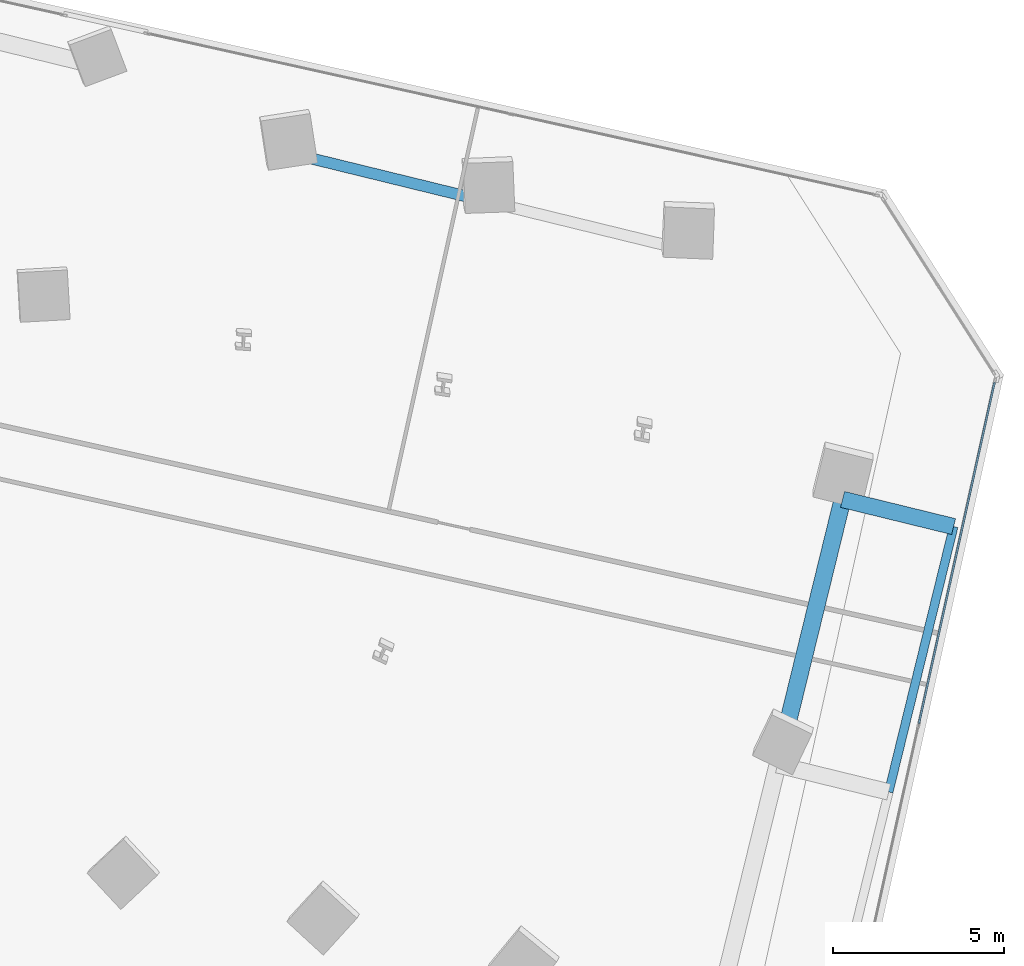
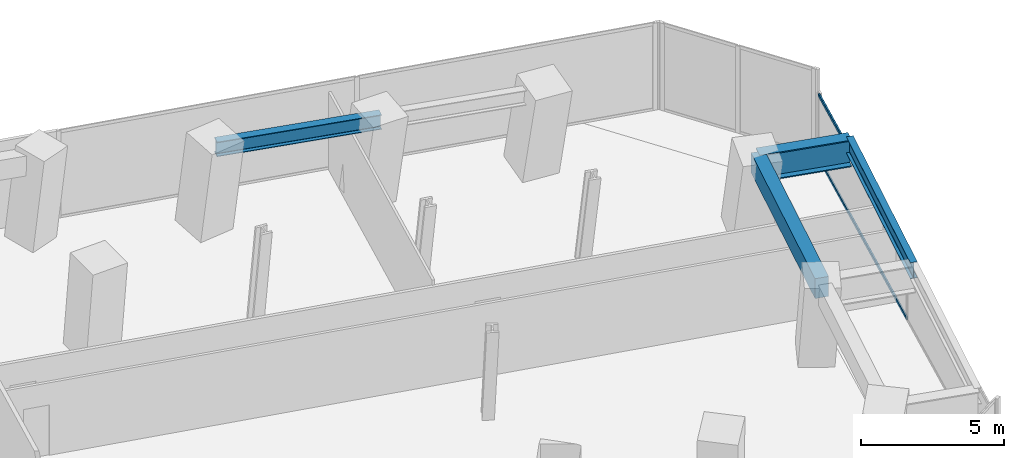
# One storey, part 11 of 25: 4 beams, 2 members, 1 element without a shape of its own.
"""IFC4 building model written with IfcOpenShell, lengths in metres."""

import ifcopenshell
import ifcopenshell.guid

model = None  # the IFC model being written
_history = None  # IfcOwnerHistory: only IFC2X3 demands one
_inside = {}  # id of a spatial element -> (the spatial element, [elements in it])
_under = {}  # id of a project, library or spatial element -> (it, [spatial elements below it])
_declared = {}  # id of a project -> (the project, [libraries it declares])
_typed = {}  # id of a type object -> (the type object, [elements of that type])
_made_of = {}  # id of a material, layer set ... -> (it, [elements and type objects made of it])


def new_model(schema):
    """Start an empty IFC model of exactly this schema.

    Asked for "IFC4X3", IfcOpenShell would pick the latest addendum, in which some entities
    have other attributes; the version numbers below select the first issue.
    IFC2X3 requires an IfcOwnerHistory on every rooted entity: one is made here for all.
    """
    global model, _history
    if schema == "IFC4X3":
        model = ifcopenshell.file(schema_version=(4, 3, 0, 0))
    else:
        model = ifcopenshell.file(schema=schema)
    _inside.clear()
    _under.clear()
    _declared.clear()
    _typed.clear()
    _made_of.clear()
    _history = None
    if model.schema == "IFC2X3":
        org = make("IfcOrganization", Name="unknown")
        user = make(
            "IfcPersonAndOrganization",
            ThePerson=make("IfcPerson", FamilyName="unknown"),
            TheOrganization=org,
        )
        app = make(
            "IfcApplication",
            ApplicationDeveloper=org,
            Version="unknown",
            ApplicationFullName="unknown",
            ApplicationIdentifier="unknown",
        )
        _history = make(
            "IfcOwnerHistory",
            OwningUser=user,
            OwningApplication=app,
            ChangeAction="ADDED",
            CreationDate=0,
        )
    return model


def make(cls, **values):
    """One entity of the class cls with the attributes given. An attribute that is None is left unset."""
    return model.create_entity(
        cls, **{name: value for name, value in values.items() if value is not None}
    )


def rooted(cls, **values):
    """An entity with a GlobalId (a new one), such as an element, a storey or a relation."""
    return make(cls, GlobalId=ifcopenshell.guid.new(), OwnerHistory=_history, **values)


def si_unit(unit_type, name, prefix=None):
    """IfcSIUnit, for example si_unit("LENGTHUNIT", "METRE", prefix="MILLI")."""
    return make("IfcSIUnit", UnitType=unit_type, Prefix=prefix, Name=name)


def assignment(units):
    """IfcUnitAssignment: the units of a project."""
    return None if units is None else make("IfcUnitAssignment", Units=units)


def point(xyz):
    """IfcCartesianPoint."""
    return None if xyz is None else make("IfcCartesianPoint", Coordinates=xyz)


def direction(xyz):
    """IfcDirection."""
    return None if xyz is None else make("IfcDirection", DirectionRatios=xyz)


def frame(location, z_axis=None, x_axis=None):
    """IfcAxis2Placement3D, a coordinate frame: its origin and axes. An axis left out is left unset."""
    return make(
        "IfcAxis2Placement3D",
        Location=point(location),
        Axis=direction(z_axis),
        RefDirection=direction(x_axis),
    )


def frame_2d(location, x_axis=None):
    """IfcAxis2Placement2D, a coordinate frame in the plane: its origin and x axis."""
    return make(
        "IfcAxis2Placement2D", Location=point(location), RefDirection=direction(x_axis)
    )


def origin():
    """The frame at (0, 0, 0) with its axes left unset."""
    return frame((0.0, 0.0, 0.0))


def origin_2d():
    """The frame at (0, 0) in the plane with its x axis left unset."""
    return frame_2d((0.0, 0.0))


def place(relative_to, where):
    """IfcLocalPlacement: puts the frame where relative to a parent placement (None: the world)."""
    return make(
        "IfcLocalPlacement", PlacementRelTo=relative_to, RelativePlacement=where
    )


def context(
    kind, dimensions, precision=None, world=None, true_north=None, identifier=None
):
    """IfcGeometricRepresentationContext, for example the 3D "Model" context."""
    return make(
        "IfcGeometricRepresentationContext",
        ContextIdentifier=identifier,
        ContextType=kind,
        CoordinateSpaceDimension=dimensions,
        Precision=precision,
        WorldCoordinateSystem=world,
        TrueNorth=true_north,
    )


def subcontext(parent, identifier, kind, view, scale=None):
    """IfcGeometricRepresentationSubContext, for example "Body" below "Model"."""
    return make(
        "IfcGeometricRepresentationSubContext",
        ContextIdentifier=identifier,
        ContextType=kind,
        ParentContext=parent,
        TargetScale=scale,
        TargetView=view,
    )


def project(units=None, contexts=None):
    """IfcProject with its units and contexts."""
    return rooted(
        "IfcProject",
        Name="project",
        RepresentationContexts=contexts,
        UnitsInContext=assignment(units),
    )


def spatial(cls, under=None, at=None, **own):
    """A site, building, storey or space (cls), placed at a placement, below another one or the project."""
    s = rooted(cls, ObjectPlacement=at, **own)
    if under is not None:
        _under.setdefault(under.id(), (under, []))[1].append(s)
    return s


def profile(cls, at=None, kind="AREA", **sizes):
    """A parametric profile (cls). Its sizes go by their IFC names, for example OverallWidth=200.0."""
    return make(cls, ProfileType=kind, Position=at, **sizes)


def rectangle(**sizes):
    """IfcRectangleProfileDef."""
    return profile("IfcRectangleProfileDef", **sizes)


def hollow_rectangle(**sizes):
    """IfcRectangleHollowProfileDef."""
    return profile("IfcRectangleHollowProfileDef", **sizes)


def i_section(**sizes):
    """IfcIShapeProfileDef."""
    return profile("IfcIShapeProfileDef", **sizes)


def extrude(swept, where, along, depth):
    """IfcExtrudedAreaSolid: the profile swept, set in the frame where, extruded along a direction by depth."""
    return make(
        "IfcExtrudedAreaSolid",
        SweptArea=swept,
        Position=where,
        ExtrudedDirection=direction(along),
        Depth=depth,
    )


def shape(context_of_items, identifier, shape_type, items):
    """IfcShapeRepresentation: the items that make up one representation, for example the "Body"."""
    return make(
        "IfcShapeRepresentation",
        ContextOfItems=context_of_items,
        RepresentationIdentifier=identifier,
        RepresentationType=shape_type,
        Items=items,
    )


def source(mapping_origin, context_of_items, identifier, shape_type, items):
    """IfcRepresentationMap: a shape defined once, which mapped items show again and again."""
    return make(
        "IfcRepresentationMap",
        MappingOrigin=mapping_origin,
        MappedRepresentation=shape(context_of_items, identifier, shape_type, items),
    )


def transform(
    local_origin,
    x_axis=None,
    y_axis=None,
    z_axis=None,
    scale=None,
    scale2=None,
    scale3=None,
    uniform=True,
):
    """IfcCartesianTransformationOperator3D, or its non-uniform kind. x_axis, y_axis, z_axis: its Axis1, 2, 3."""
    if uniform:
        return make(
            "IfcCartesianTransformationOperator3D",
            Axis1=direction(x_axis),
            Axis2=direction(y_axis),
            LocalOrigin=point(local_origin),
            Scale=scale,
            Axis3=direction(z_axis),
        )
    return make(
        "IfcCartesianTransformationOperator3DnonUniform",
        Axis1=direction(x_axis),
        Axis2=direction(y_axis),
        LocalOrigin=point(local_origin),
        Scale=scale,
        Axis3=direction(z_axis),
        Scale2=scale2,
        Scale3=scale3,
    )


def mapped(mapping_source, mapping_target):
    """IfcMappedItem: shows the shape of a source again, moved by a transform."""
    return make(
        "IfcMappedItem", MappingSource=mapping_source, MappingTarget=mapping_target
    )


def material(Name=None, Category=None):
    """IfcMaterial."""
    return make("IfcMaterial", Name=Name, Category=Category)


def material_profile(
    of_material, cross_section, Name=None, Category=None, Priority=None
):
    """IfcMaterialProfile: a cross section and its material."""
    return make(
        "IfcMaterialProfile",
        Name=Name,
        Material=of_material,
        Profile=cross_section,
        Priority=Priority,
        Category=Category,
    )


def profile_set(profiles, Name=None, composite=None):
    """IfcMaterialProfileSet."""
    return make(
        "IfcMaterialProfileSet",
        Name=Name,
        MaterialProfiles=profiles,
        CompositeProfile=composite,
    )


def made_of(thing, what):
    """Note that an element or type object is made of a material, layer set ...; save() writes the relation."""
    if what is not None:
        _made_of.setdefault(what.id(), (what, []))[1].append(thing)
    return thing


def type_object(cls, material=None, **own):
    """A type object (cls), such as IfcWallType, which elements share."""
    return made_of(rooted(cls, **own), material)


def element(
    cls,
    number,
    at=None,
    inside=None,
    cuts=None,
    type_object=None,
    material=None,
    context=None,
    identifier="Body",
    shape_type=None,
    held_by="IfcProductDefinitionShape",
    body=None,
    shapes=None,
    **own,
):
    """One element of the class cls, such as IfcWall. Its Tag is "e" and its number.

    at: its placement. inside: the storey or other place that contains it. cuts: it is an
    opening in that element (IfcRelVoidsElement). A single representation is given by context,
    identifier, shape_type and body (its items); several are given by shapes. held_by: the class
    of the entity that holds the representations. save() writes the other relations.
    """
    e = rooted(cls, Tag="e%d" % number, ObjectPlacement=at, **own)
    if body is not None:
        shapes = [shape(context, identifier, shape_type, body)]
    if shapes is not None:
        e.Representation = make(held_by, Representations=shapes)
    if inside is not None:
        _inside.setdefault(inside.id(), (inside, []))[1].append(e)
    if cuts is not None:
        rooted(
            "IfcRelVoidsElement", RelatingBuildingElement=cuts, RelatedOpeningElement=e
        )
    if type_object is not None:
        _typed.setdefault(type_object.id(), (type_object, []))[1].append(e)
    return made_of(e, material)


def aggregate(whole, parts):
    """IfcRelAggregates: a whole, such as a stair, and the parts it consists of."""
    return rooted("IfcRelAggregates", RelatingObject=whole, RelatedObjects=parts)


def save(model, path):
    """Write the relations noted so far, then the file.

    IfcRelAggregates (storeys below a building ...), IfcRelContainedInSpatialStructure (elements
    in a storey), IfcRelDefinesByType, IfcRelAssociatesMaterial and IfcRelDeclares: one each for
    every whole, place, type object, material and project.
    """
    for whole, parts in _under.values():
        aggregate(whole, parts)
    for where, things in _inside.values():
        rooted(
            "IfcRelContainedInSpatialStructure",
            RelatedElements=things,
            RelatingStructure=where,
        )
    for kind, things in _typed.values():
        rooted("IfcRelDefinesByType", RelatedObjects=things, RelatingType=kind)
    for what, things in _made_of.values():
        rooted("IfcRelAssociatesMaterial", RelatedObjects=things, RelatingMaterial=what)
    for by, libraries in _declared.values():
        rooted("IfcRelDeclares", RelatingContext=by, RelatedDefinitions=libraries)
    model.write(path)


model = new_model("IFC4")

# Units and contexts
model_context = context("Model", 3, precision=1e-05, world=origin(), true_north=direction((0.0, 1.0)))
body_context = subcontext(model_context, "Body", "Model", "MODEL_VIEW")
ifc_project = project(units=[si_unit("LENGTHUNIT", "METRE"), si_unit("AREAUNIT", "SQUARE_METRE"), si_unit("VOLUMEUNIT", "CUBIC_METRE"), si_unit("PLANEANGLEUNIT", "RADIAN"), si_unit("MASSUNIT", "GRAM", prefix="KILO")], contexts=[model_context])

# Site, building, storey
site_placement = place(None, origin())
site = spatial("IfcSite", under=ifc_project, at=site_placement, CompositionType="ELEMENT")
building_placement = place(site_placement, origin())
building = spatial("IfcBuilding", under=site, at=building_placement, Name="Torre Montelarca", CompositionType="ELEMENT")
storey_placement = place(building_placement, frame((0.0, 0.0, 91.60009765625)))
storey = spatial("IfcBuildingStorey", under=building, at=storey_placement, Name="L20", CompositionType="ELEMENT", Elevation=91.60009765625)

# Beams
ifc_material_1 = material(Name="Steel ASTM A992 Grade 50", Category="steel")
ifc_material_profile_1 = material_profile(ifc_material_1, i_section(OverallWidth=0.326904296875, OverallDepth=0.6220703125, WebThickness=0.015380859375, FlangeThickness=0.0244140625, FilletRadius=0.014892578125, at=origin_2d()), Name="W610X195", Category="steel")
ifc_profile_set_1 = profile_set([ifc_material_profile_1], Name="Steel ASTM A992 Grade 50")
beam_type_1 = type_object("IfcBeamType", Name="BM-G-W610H", PredefinedType="BEAM", material=ifc_profile_set_1)
shared_shape_1 = source(origin(), body_context, "Body", "SweptSolid", [
    extrude(i_section(OverallWidth=0.326904296875, OverallDepth=0.6220703125, WebThickness=0.015380859375, FlangeThickness=0.0244140625, FilletRadius=0.014892578125, at=origin_2d()), origin(), (0.0, 0.0, 1.0), 6.0),
])
beam_1_placement = place(storey_placement, frame((44.739990234375, 40.726318359375, 3.64892578125), z_axis=(0.971336820481, -0.237707343551, 0.0), x_axis=(0.237707343551, 0.971336820481, 0.0)))
element("IfcBeam", 1, at=beam_1_placement, inside=storey, type_object=beam_type_1, Name="L20 Grid Girder X 42.0-48.0 at Y=46.0", PredefinedType="BEAM", context=body_context, shape_type="MappedRepresentation", body=[
    mapped(shared_shape_1, transform((0.0, 0.0, 0.0), scale=1.0)),
])
ifc_material_2 = material(Name="Concrete C55/67", Category="concrete")
ifc_material_profile_2 = material_profile(ifc_material_2, rectangle(XDim=0.5, YDim=0.85009765625, at=origin_2d()), Name="RCB500X850", Category="concrete")
ifc_profile_set_2 = profile_set([ifc_material_profile_2], Name="Concrete C55/67")
beam_type_2 = type_object("IfcBeamType", Name="BM-SP-RC850-EXT", PredefinedType="SPANDREL", material=ifc_profile_set_2)
shared_shape_2 = source(origin(), body_context, "Body", "SweptSolid", [
    extrude(rectangle(XDim=0.5, YDim=0.85009765625, at=origin_2d()), origin(), (0.0, 0.0, 1.0), 8.0),
])
beam_2_placement = place(storey_placement, frame((58.896728515625, 22.84912109375, 3.534912109375), z_axis=(0.237671301182, 0.971345640127, 0.0), x_axis=(-0.971345640127, 0.237671301182, 0.0)))
element("IfcBeam", 2, at=beam_2_placement, inside=storey, type_object=beam_type_2, Name="L20 Grid Girder Y 32.0-40.0 at X=60.0", PredefinedType="SPANDREL", context=body_context, shape_type="MappedRepresentation", body=[
    mapped(shared_shape_2, transform((0.0, 0.0, 0.0), scale=1.0)),
])
ifc_material_3 = material(Name="Steel ASTM A572 Grade 50", Category="steel")
ifc_material_profile_3 = material_profile(ifc_material_3, i_section(OverallWidth=0.47998046875, OverallDepth=1.14990234375, WebThickness=0.02197265625, FlangeThickness=0.044921875, at=origin_2d()), Name="PG1150X480X22X45", Category="steel")
ifc_profile_set_3 = profile_set([ifc_material_profile_3], Name="Steel ASTM A572 Grade 50")
beam_type_3 = type_object("IfcBeamType", Name="BM-CG-PG1400-EXT", PredefinedType="USERDEFINED", material=ifc_profile_set_3)
shared_shape_3 = source(origin(), body_context, "Body", "SweptSolid", [
    extrude(i_section(OverallWidth=0.47998046875, OverallDepth=1.14990234375, WebThickness=0.02197265625, FlangeThickness=0.044921875, at=origin_2d()), origin(), (0.0, 0.0, 1.0), 3.35009765625),
])
beam_3_placement = place(storey_placement, frame((60.798095703125, 30.619873046875, 3.385009765625), z_axis=(0.971335096398, -0.23771438851, 0.0), x_axis=(0.23771438851, 0.971335096398, 0.0)))
element("IfcBeam", 3, at=beam_3_placement, inside=storey, type_object=beam_type_3, Name="L20 Sliding Tray Cantilever Girder East Y=40m (FLR)", ObjectType="CANTILEVER GIRDER", PredefinedType="USERDEFINED", context=body_context, shape_type="MappedRepresentation", body=[
    mapped(shared_shape_3, transform((0.0, 0.0, 0.0), scale=1.0)),
])
ifc_material_profile_4 = material_profile(ifc_material_1, i_section(OverallWidth=0.256103515625, OverallDepth=0.693115234375, WebThickness=0.014404296875, FlangeThickness=0.023681640625, FilletRadius=0.01806640625, at=origin_2d()), Name="W690X170", Category="steel")
ifc_profile_set_4 = profile_set([ifc_material_profile_4], Name="Steel ASTM A992 Grade 50")
beam_type_4 = type_object("IfcBeamType", Name="BM-G-W690-EXT", PredefinedType="BEAM", material=ifc_profile_set_4)
shared_shape_4 = source(origin(), body_context, "Body", "SweptSolid", [
    extrude(i_section(OverallWidth=0.256103515625, OverallDepth=0.693115234375, WebThickness=0.014404296875, FlangeThickness=0.023681640625, FilletRadius=0.01806640625, at=origin_2d()), origin(), (0.0, 0.0, 1.0), 8.0),
])
beam_4_placement = place(storey_placement, frame((62.150634765625, 22.052734375, 3.614013671875), z_axis=(0.237700094629, 0.971338594422, 0.0), x_axis=(-0.971338594422, 0.237700094629, 0.0)))
element("IfcBeam", 4, at=beam_4_placement, inside=storey, type_object=beam_type_4, Name="L20 Sliding Tray Edge Girder East 32-40m (FLR)", PredefinedType="BEAM", context=body_context, shape_type="MappedRepresentation", body=[
    mapped(shared_shape_4, transform((0.0, 0.0, 0.0), scale=1.0)),
])

# Curtain wall, members
ifc_material_4 = material(Name="Insulated low-E laminated glass", Category="glass")
curtain_wall_type = type_object("IfcCurtainWallType", Name="CW-SYS-Z1", PredefinedType="USERDEFINED", material=ifc_material_4)
curtain_wall_placement = place(storey_placement, origin())
curtain_wall = element("IfcCurtainWall", 5, at=curtain_wall_placement, inside=storey, type_object=curtain_wall_type, Name="L20 Curtain Wall Run CW-T3-L20-E06-B1", ObjectType="UNITISED GLAZING", PredefinedType="USERDEFINED")
ifc_material_5 = material(Name="Anodised aluminium AA 6063-T6", Category="aluminium")
ifc_material_profile_5 = material_profile(ifc_material_5, hollow_rectangle(XDim=0.06494140625, YDim=0.139892578125, WallThickness=0.00390625, InnerFilletRadius=0.00390625, OuterFilletRadius=0.008056640625, at=origin_2d()), Name="ALU65X140X4", Category="aluminium")
ifc_profile_set_5 = profile_set([ifc_material_profile_5], Name="Anodised aluminium AA 6063-T6")
member_type = type_object("IfcMemberType", Name="CWT-ALU140", PredefinedType="USERDEFINED", material=ifc_profile_set_5)
shared_shape_5 = source(origin(), body_context, "Body", "SweptSolid", [
    extrude(hollow_rectangle(XDim=0.06494140625, YDim=0.139892578125, WallThickness=0.00390625, InnerFilletRadius=0.00390625, OuterFilletRadius=0.008056640625, at=origin_2d()), origin(), (0.0, 0.0, 1.0), 10.236572265625),
])
member_1_placement = place(storey_placement, frame((63.03466796875, 24.054443359375, 0.032470703125), z_axis=(0.216460732055, 0.976291325107, 0.0), x_axis=(-0.976291325107, 0.216460732055, 0.0)))
member_1 = element("IfcMember", 6, at=member_1_placement, type_object=member_type, Name="CW transom 2.1", ObjectType="TRANSOM", PredefinedType="USERDEFINED", context=body_context, shape_type="MappedRepresentation", body=[
    mapped(shared_shape_5, transform((0.0, 0.0, 0.0), scale=1.0)),
])
member_2_placement = place(storey_placement, frame((63.03466796875, 24.054443359375, 2.742431640625), z_axis=(0.216460732055, 0.976291325107, 0.0), x_axis=(-0.976291325107, 0.216460732055, 0.0)))
member_2 = element("IfcMember", 7, at=member_2_placement, type_object=member_type, Name="CW transom 2.2", ObjectType="TRANSOM", PredefinedType="USERDEFINED", context=body_context, shape_type="MappedRepresentation", body=[
    mapped(shared_shape_5, transform((0.0, 0.0, 0.0), scale=1.0)),
])
aggregate(curtain_wall, [member_1, member_2])

save(model, "model.ifc")
